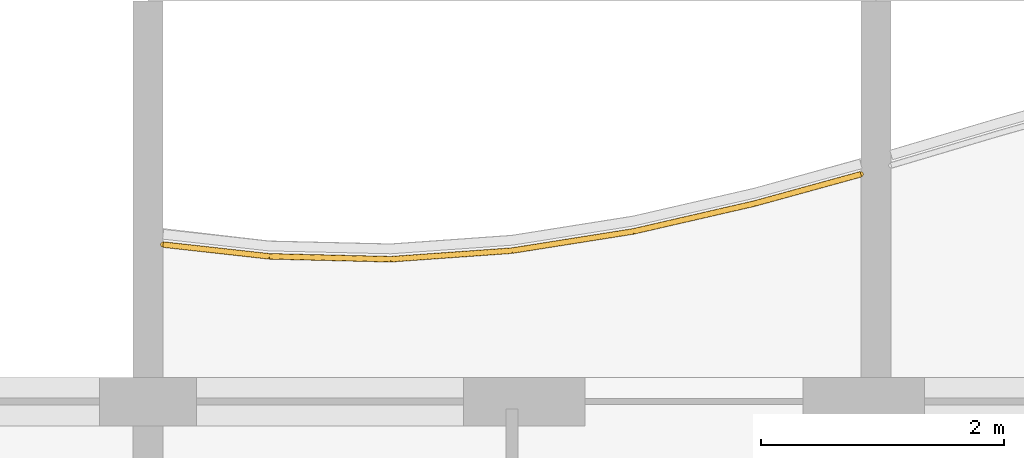
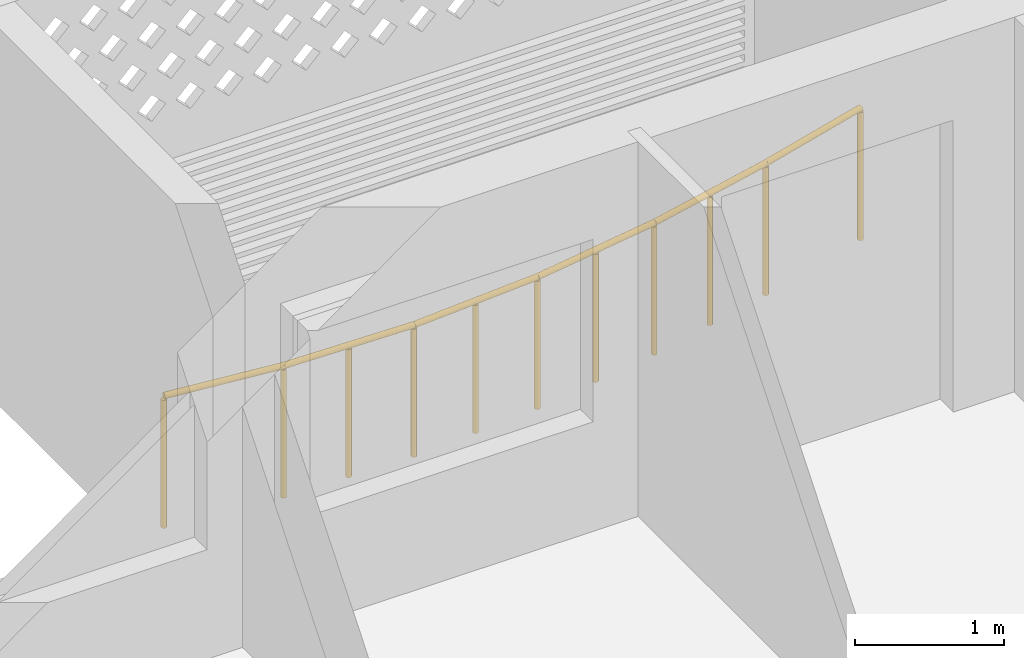
# One storey, part 24 of 29: 1 railing.
"""IFC4 building model written with IfcOpenShell, lengths in metres."""

from ifc_helpers import new_model, si_unit, direction, frame, origin, origin_2d, place, context, subcontext, project, spatial, circle, extrude, material, type_object, element, save


model = new_model("IFC4")

# Units and contexts
model_context = context("Model", 3, precision=1e-05, world=origin(), true_north=direction((0.0, 1.0)))
body_context = subcontext(model_context, "Body", "Model", "MODEL_VIEW")
ifc_project = project(units=[si_unit("LENGTHUNIT", "METRE"), si_unit("AREAUNIT", "SQUARE_METRE"), si_unit("VOLUMEUNIT", "CUBIC_METRE"), si_unit("PLANEANGLEUNIT", "RADIAN"), si_unit("MASSUNIT", "GRAM", prefix="KILO")], contexts=[model_context])

# Site, building, storey
site_placement = place(None, origin())
site = spatial("IfcSite", under=ifc_project, at=site_placement, CompositionType="ELEMENT")
building_placement = place(site_placement, origin())
building = spatial("IfcBuilding", under=site, at=building_placement, Name="Poui Terraces", CompositionType="ELEMENT")
storey_placement = place(building_placement, frame((0.0, 0.0, 231.300048828125)))
storey = spatial("IfcBuildingStorey", under=building, at=storey_placement, Name="L64", CompositionType="ELEMENT", Elevation=231.300048828125)

# Railing
ifc_material = material(Name="Painted steel fretwork", Category="steel")
railing_type = type_object("IfcRailingType", Name="BALCONY GUARD 1100", PredefinedType="GUARDRAIL", material=ifc_material)
railing_placement = place(storey_placement, frame((60.125, 42.493896484375, 0.0)))
element("IfcRailing", 1, at=railing_placement, inside=storey, type_object=railing_type, Name="BALCONY GUARD", PredefinedType="GUARDRAIL", context=body_context, shape_type="SweptSolid", body=[
    extrude(circle(Radius=0.02392578125, at=origin_2d()), frame((0.0, 0.0, 1.076171875), z_axis=(0.993920879966, -0.110096704617, 0.0), x_axis=(0.110096704617, 0.993920879966, 0.0)), (0.0, 0.0, 1.0), 0.88037109375),
    extrude(circle(Radius=0.02392578125, at=origin_2d()), frame((0.875, -0.096923828125, 1.076171875), z_axis=(0.999713901321, -0.023918936116, 0.0), x_axis=(0.023918936116, 0.999713901321, 0.0)), (0.0, 0.0, 1.0), 1.000244140625),
    extrude(circle(Radius=0.02392578125, at=origin_2d()), frame((1.875, -0.120849609375, 1.076171875), z_axis=(0.997485823051, 0.07086630237, 0.0), x_axis=(-0.07086630237, 0.997485823051, 0.0)), (0.0, 0.0, 1.0), 1.00244140625),
    extrude(circle(Radius=0.02392578125, at=origin_2d()), frame((2.875, -0.0498046875, 1.076171875), z_axis=(0.9876787513, 0.156494997459, 0.0), x_axis=(-0.156494997459, 0.9876787513, 0.0)), (0.0, 0.0, 1.0), 1.012451171875),
    extrude(circle(Radius=0.02392578125, at=origin_2d()), frame((3.875, 0.108642578125, 1.076171875), z_axis=(0.974559344395, 0.224129614849, 0.0), x_axis=(-0.224129614849, 0.974559344395, 0.0)), (0.0, 0.0, 1.0), 1.026123046875),
    extrude(circle(Radius=0.02392578125, at=origin_2d()), frame((4.875, 0.338623046875, 1.076171875), z_axis=(0.964109044375, 0.265506592299, 0.0), x_axis=(-0.265506592299, 0.964109044375, 0.0)), (0.0, 0.0, 1.0), 0.907470703125),
    extrude(circle(Radius=0.02099609375, at=origin_2d()), origin(), (0.0, 0.0, 1.0), 1.052001953125),
    extrude(circle(Radius=0.02099609375, at=origin_2d()), frame((0.875, -0.096923828125, 0.0)), (0.0, 0.0, 1.0), 1.052001953125),
    extrude(circle(Radius=0.02099609375, at=origin_2d()), frame((1.375, -0.10888671875, 0.0)), (0.0, 0.0, 1.0), 1.052001953125),
    extrude(circle(Radius=0.02099609375, at=origin_2d()), frame((1.875, -0.120849609375, 0.0)), (0.0, 0.0, 1.0), 1.052001953125),
    extrude(circle(Radius=0.02099609375, at=origin_2d()), frame((2.375, -0.08544921875, 0.0)), (0.0, 0.0, 1.0), 1.052001953125),
    extrude(circle(Radius=0.02099609375, at=origin_2d()), frame((2.875, -0.0498046875, 0.0)), (0.0, 0.0, 1.0), 1.052001953125),
    extrude(circle(Radius=0.02099609375, at=origin_2d()), frame((3.375, 0.029296875, 0.0)), (0.0, 0.0, 1.0), 1.052001953125),
    extrude(circle(Radius=0.02099609375, at=origin_2d()), frame((3.875, 0.108642578125, 0.0)), (0.0, 0.0, 1.0), 1.052001953125),
    extrude(circle(Radius=0.02099609375, at=origin_2d()), frame((4.375, 0.2236328125, 0.0)), (0.0, 0.0, 1.0), 1.052001953125),
    extrude(circle(Radius=0.02099609375, at=origin_2d()), frame((4.875, 0.338623046875, 0.0)), (0.0, 0.0, 1.0), 1.052001953125),
    extrude(circle(Radius=0.02099609375, at=origin_2d()), frame((5.75, 0.57958984375, 0.0)), (0.0, 0.0, 1.0), 1.052001953125),
])

save(model, "model.ifc")
